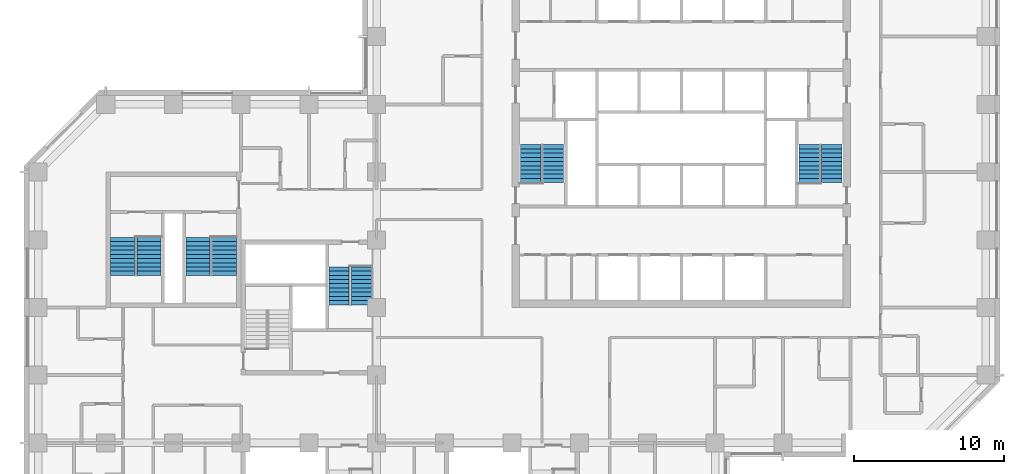
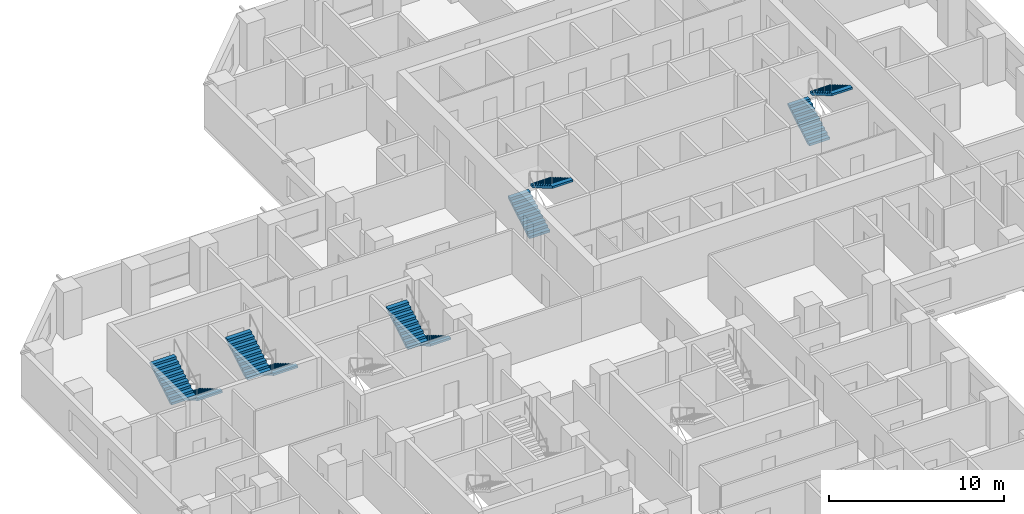
# One storey, part 12 of 13: 10 stair flights, 5 elements without a shape of their own.
"""IFC4 building model written with IfcOpenShell, lengths in metres."""

from ifc_helpers import new_model, si_unit, direction, frame, origin, place, context, subcontext, project, spatial, polyline, outline, extrude, material, type_object, element, aggregate, save


model = new_model("IFC4")

# Units and contexts
model_context = context("Model", 3, precision=1e-05, world=origin(), true_north=direction((0.0, 1.0)))
body_context = subcontext(model_context, "Body", "Model", "MODEL_VIEW")
ifc_project = project(units=[si_unit("LENGTHUNIT", "METRE"), si_unit("AREAUNIT", "SQUARE_METRE"), si_unit("VOLUMEUNIT", "CUBIC_METRE"), si_unit("PLANEANGLEUNIT", "RADIAN"), si_unit("MASSUNIT", "GRAM", prefix="KILO")], contexts=[model_context])

# Site, building, storey
site_placement = place(None, origin())
site = spatial("IfcSite", under=ifc_project, at=site_placement, CompositionType="ELEMENT")
building_placement = place(site_placement, origin())
building = spatial("IfcBuilding", under=site, at=building_placement, Name="Quoin Convention Tower", CompositionType="ELEMENT")
storey_placement = place(building_placement, frame((0.0, 0.0, 36.300048828125)))
storey = spatial("IfcBuildingStorey", under=building, at=storey_placement, Name="L08", CompositionType="ELEMENT", Elevation=36.300048828125)

# Stair, stair flights
ifc_material = material(Name="Concrete C40", Category="concrete")
stair_type_1 = type_object("IfcStairType", Name="Exit stair two-flight 1350", PredefinedType="HALF_TURN_STAIR", material=ifc_material)
stair_1_placement = place(storey_placement, origin())
stair_1 = element("IfcStair", 1, at=stair_1_placement, inside=storey, type_object=stair_type_1, Name="SD1 L08", PredefinedType="HALF_TURN_STAIR")
stair_flight_type_1 = type_object("IfcStairFlightType", Name="Stair flight 1350", PredefinedType="STRAIGHT", material=ifc_material)
stair_flight_1_placement = place(storey_placement, frame((46.25, 57.800048828125, 0.0), z_axis=(0.0, 0.0, 1.0), x_axis=(0.0, 1.0, 0.0)))
stair_flight_1 = element("IfcStairFlight", 2, at=stair_flight_1_placement, type_object=stair_flight_type_1, Name="ST1 flight 1", NumberOfRisers=10, NumberOfTreads=9, PredefinedType="STRAIGHT", RiserHeight=0.165, TreadLength=0.28, context=body_context, shape_type="SweptSolid", body=[
    extrude(outline(polyline([(0.0, 0.0), (0.0, 0.1650390625), (0.280029296875, 0.1650390625), (0.280029296875, 0.330078125), (0.56005859375, 0.330078125), (0.56005859375, 0.4951171875), (0.840087890625, 0.4951171875), (0.840087890625, 0.659912109375), (1.1201171875, 0.659912109375), (1.1201171875, 0.824951171875), (1.39990234375, 0.824951171875), (1.39990234375, 0.989990234375), (1.679931640625, 0.989990234375), (1.679931640625, 1.155029296875), (1.9599609375, 1.155029296875), (1.9599609375, 1.320068359375), (2.239990234375, 1.320068359375), (2.239990234375, 1.485107421875), (2.52001953125, 1.485107421875), (2.52001953125, 1.64990234375), (2.52001953125, 1.345458984375), (0.236572265625, 0.0), (0.0, 0.0)])), frame((0.0, 0.675048828125, 0.0), z_axis=(0.0, -1.0, 0.0), x_axis=(1.0, 0.0, 0.0)), (0.0, 0.0, 1.0), 1.35009765625),
])
stair_flight_2_placement = place(storey_placement, frame((47.75, 60.320068359375, 1.64990234375), z_axis=(0.0, 0.0, 1.0), x_axis=(0.0, -1.0, 0.0)))
stair_flight_2 = element("IfcStairFlight", 3, at=stair_flight_2_placement, type_object=stair_flight_type_1, Name="ST1 flight 2", NumberOfRisers=10, NumberOfTreads=9, PredefinedType="STRAIGHT", RiserHeight=0.165, TreadLength=0.28, context=body_context, shape_type="SweptSolid", body=[
    extrude(outline(polyline([(0.0, 0.0), (0.0, 0.1650390625), (0.280029296875, 0.1650390625), (0.280029296875, 0.330078125), (0.56005859375, 0.330078125), (0.56005859375, 0.4951171875), (0.840087890625, 0.4951171875), (0.840087890625, 0.659912109375), (1.1201171875, 0.659912109375), (1.1201171875, 0.824951171875), (1.39990234375, 0.824951171875), (1.39990234375, 0.989990234375), (1.679931640625, 0.989990234375), (1.679931640625, 1.155029296875), (1.9599609375, 1.155029296875), (1.9599609375, 1.320068359375), (2.239990234375, 1.320068359375), (2.239990234375, 1.485107421875), (2.52001953125, 1.485107421875), (2.52001953125, 1.64990234375), (2.52001953125, 1.345458984375), (0.236572265625, 0.0), (0.0, 0.0)])), frame((0.0, 0.675048828125, 0.0), z_axis=(0.0, -1.0, 0.0), x_axis=(1.0, 0.0, 0.0)), (0.0, 0.0, 1.0), 1.35009765625),
])
aggregate(stair_1, [stair_flight_1, stair_flight_2])

stair_2_placement = place(storey_placement, origin())
stair_2 = element("IfcStair", 4, at=stair_2_placement, inside=storey, type_object=stair_type_1, Name="SD2 L08", PredefinedType="HALF_TURN_STAIR")
stair_flight_3_placement = place(storey_placement, frame((64.75, 57.800048828125, 0.0), z_axis=(0.0, 0.0, 1.0), x_axis=(0.0, 1.0, 0.0)))
stair_flight_3 = element("IfcStairFlight", 5, at=stair_flight_3_placement, type_object=stair_flight_type_1, Name="ST2 flight 1", NumberOfRisers=10, NumberOfTreads=9, PredefinedType="STRAIGHT", RiserHeight=0.165, TreadLength=0.28, context=body_context, shape_type="SweptSolid", body=[
    extrude(outline(polyline([(0.0, 0.0), (0.0, 0.1650390625), (0.280029296875, 0.1650390625), (0.280029296875, 0.330078125), (0.56005859375, 0.330078125), (0.56005859375, 0.4951171875), (0.840087890625, 0.4951171875), (0.840087890625, 0.659912109375), (1.1201171875, 0.659912109375), (1.1201171875, 0.824951171875), (1.39990234375, 0.824951171875), (1.39990234375, 0.989990234375), (1.679931640625, 0.989990234375), (1.679931640625, 1.155029296875), (1.9599609375, 1.155029296875), (1.9599609375, 1.320068359375), (2.239990234375, 1.320068359375), (2.239990234375, 1.485107421875), (2.52001953125, 1.485107421875), (2.52001953125, 1.64990234375), (2.52001953125, 1.345458984375), (0.236572265625, 0.0), (0.0, 0.0)])), frame((0.0, 0.675048828125, 0.0), z_axis=(0.0, -1.0, 0.0), x_axis=(1.0, 0.0, 0.0)), (0.0, 0.0, 1.0), 1.35009765625),
])
stair_flight_4_placement = place(storey_placement, frame((66.25, 60.320068359375, 1.64990234375), z_axis=(0.0, 0.0, 1.0), x_axis=(0.0, -1.0, 0.0)))
stair_flight_4 = element("IfcStairFlight", 6, at=stair_flight_4_placement, type_object=stair_flight_type_1, Name="ST2 flight 2", NumberOfRisers=10, NumberOfTreads=9, PredefinedType="STRAIGHT", RiserHeight=0.165, TreadLength=0.28, context=body_context, shape_type="SweptSolid", body=[
    extrude(outline(polyline([(0.0, 0.0), (0.0, 0.1650390625), (0.280029296875, 0.1650390625), (0.280029296875, 0.330078125), (0.56005859375, 0.330078125), (0.56005859375, 0.4951171875), (0.840087890625, 0.4951171875), (0.840087890625, 0.659912109375), (1.1201171875, 0.659912109375), (1.1201171875, 0.824951171875), (1.39990234375, 0.824951171875), (1.39990234375, 0.989990234375), (1.679931640625, 0.989990234375), (1.679931640625, 1.155029296875), (1.9599609375, 1.155029296875), (1.9599609375, 1.320068359375), (2.239990234375, 1.320068359375), (2.239990234375, 1.485107421875), (2.52001953125, 1.485107421875), (2.52001953125, 1.64990234375), (2.52001953125, 1.345458984375), (0.236572265625, 0.0), (0.0, 0.0)])), frame((0.0, 0.675048828125, 0.0), z_axis=(0.0, -1.0, 0.0), x_axis=(1.0, 0.0, 0.0)), (0.0, 0.0, 1.0), 1.35009765625),
])
aggregate(stair_2, [stair_flight_3, stair_flight_4])

stair_3_placement = place(storey_placement, origin())
stair_3 = element("IfcStair", 7, at=stair_3_placement, inside=storey, type_object=stair_type_1, Name="SD4 L08", PredefinedType="HALF_TURN_STAIR")
stair_flight_5_placement = place(storey_placement, frame((35.0, 52.199951171875, 0.0), z_axis=(0.0, 0.0, 1.0), x_axis=(0.0, -1.0, 0.0)))
stair_flight_5 = element("IfcStairFlight", 8, at=stair_flight_5_placement, type_object=stair_flight_type_1, Name="ST4 flight 1", NumberOfRisers=10, NumberOfTreads=9, PredefinedType="STRAIGHT", RiserHeight=0.165, TreadLength=0.28, context=body_context, shape_type="SweptSolid", body=[
    extrude(outline(polyline([(0.0, 0.0), (0.0, 0.1650390625), (0.280029296875, 0.1650390625), (0.280029296875, 0.330078125), (0.56005859375, 0.330078125), (0.56005859375, 0.4951171875), (0.840087890625, 0.4951171875), (0.840087890625, 0.659912109375), (1.1201171875, 0.659912109375), (1.1201171875, 0.824951171875), (1.39990234375, 0.824951171875), (1.39990234375, 0.989990234375), (1.679931640625, 0.989990234375), (1.679931640625, 1.155029296875), (1.9599609375, 1.155029296875), (1.9599609375, 1.320068359375), (2.239990234375, 1.320068359375), (2.239990234375, 1.485107421875), (2.52001953125, 1.485107421875), (2.52001953125, 1.64990234375), (2.52001953125, 1.345458984375), (0.236572265625, 0.0), (0.0, 0.0)])), frame((0.0, 0.675048828125, 0.0), z_axis=(0.0, -1.0, 0.0), x_axis=(1.0, 0.0, 0.0)), (0.0, 0.0, 1.0), 1.35009765625),
])
stair_flight_6_placement = place(storey_placement, frame((33.5, 49.679931640625, 1.64990234375), z_axis=(0.0, 0.0, 1.0), x_axis=(0.0, 1.0, 0.0)))
stair_flight_6 = element("IfcStairFlight", 9, at=stair_flight_6_placement, type_object=stair_flight_type_1, Name="ST4 flight 2", NumberOfRisers=10, NumberOfTreads=9, PredefinedType="STRAIGHT", RiserHeight=0.165, TreadLength=0.28, context=body_context, shape_type="SweptSolid", body=[
    extrude(outline(polyline([(0.0, 0.0), (0.0, 0.1650390625), (0.280029296875, 0.1650390625), (0.280029296875, 0.330078125), (0.56005859375, 0.330078125), (0.56005859375, 0.4951171875), (0.840087890625, 0.4951171875), (0.840087890625, 0.659912109375), (1.1201171875, 0.659912109375), (1.1201171875, 0.824951171875), (1.39990234375, 0.824951171875), (1.39990234375, 0.989990234375), (1.679931640625, 0.989990234375), (1.679931640625, 1.155029296875), (1.9599609375, 1.155029296875), (1.9599609375, 1.320068359375), (2.239990234375, 1.320068359375), (2.239990234375, 1.485107421875), (2.52001953125, 1.485107421875), (2.52001953125, 1.64990234375), (2.52001953125, 1.345458984375), (0.236572265625, 0.0), (0.0, 0.0)])), frame((0.0, 0.675048828125, 0.0), z_axis=(0.0, -1.0, 0.0), x_axis=(1.0, 0.0, 0.0)), (0.0, 0.0, 1.0), 1.35009765625),
])
aggregate(stair_3, [stair_flight_5, stair_flight_6])

stair_type_2 = type_object("IfcStairType", Name="Exit stair two-flight 1600", PredefinedType="HALF_TURN_STAIR", material=ifc_material)
stair_4_placement = place(storey_placement, origin())
stair_4 = element("IfcStair", 10, at=stair_4_placement, inside=storey, type_object=stair_type_2, Name="SD11 L08", PredefinedType="HALF_TURN_STAIR")
stair_flight_type_2 = type_object("IfcStairFlightType", Name="Stair flight 1600", PredefinedType="STRAIGHT", material=ifc_material)
stair_flight_7_placement = place(storey_placement, frame((20.875, 54.14990234375, 0.0), z_axis=(0.0, 0.0, 1.0), x_axis=(0.0, -1.0, 0.0)))
stair_flight_7 = element("IfcStairFlight", 11, at=stair_flight_7_placement, type_object=stair_flight_type_2, Name="ST11 flight 1", NumberOfRisers=10, NumberOfTreads=9, PredefinedType="STRAIGHT", RiserHeight=0.165, TreadLength=0.28, context=body_context, shape_type="SweptSolid", body=[
    extrude(outline(polyline([(0.0, 0.0), (0.0, 0.1650390625), (0.280029296875, 0.1650390625), (0.280029296875, 0.330078125), (0.56005859375, 0.330078125), (0.56005859375, 0.4951171875), (0.840087890625, 0.4951171875), (0.840087890625, 0.659912109375), (1.1201171875, 0.659912109375), (1.1201171875, 0.824951171875), (1.39990234375, 0.824951171875), (1.39990234375, 0.989990234375), (1.679931640625, 0.989990234375), (1.679931640625, 1.155029296875), (1.9599609375, 1.155029296875), (1.9599609375, 1.320068359375), (2.239990234375, 1.320068359375), (2.239990234375, 1.485107421875), (2.52001953125, 1.485107421875), (2.52001953125, 1.64990234375), (2.52001953125, 1.345458984375), (0.236572265625, 0.0), (0.0, 0.0)])), frame((0.0, 0.800048828125, 0.0), z_axis=(0.0, -1.0, 0.0), x_axis=(1.0, 0.0, 0.0)), (0.0, 0.0, 1.0), 1.60009765625),
])
stair_flight_8_placement = place(storey_placement, frame((19.125, 51.6298828125, 1.64990234375), z_axis=(0.0, 0.0, 1.0), x_axis=(0.0, 1.0, 0.0)))
stair_flight_8 = element("IfcStairFlight", 12, at=stair_flight_8_placement, type_object=stair_flight_type_2, Name="ST11 flight 2", NumberOfRisers=10, NumberOfTreads=9, PredefinedType="STRAIGHT", RiserHeight=0.165, TreadLength=0.28, context=body_context, shape_type="SweptSolid", body=[
    extrude(outline(polyline([(0.0, 0.0), (0.0, 0.1650390625), (0.280029296875, 0.1650390625), (0.280029296875, 0.330078125), (0.56005859375, 0.330078125), (0.56005859375, 0.4951171875), (0.840087890625, 0.4951171875), (0.840087890625, 0.659912109375), (1.1201171875, 0.659912109375), (1.1201171875, 0.824951171875), (1.39990234375, 0.824951171875), (1.39990234375, 0.989990234375), (1.679931640625, 0.989990234375), (1.679931640625, 1.155029296875), (1.9599609375, 1.155029296875), (1.9599609375, 1.320068359375), (2.239990234375, 1.320068359375), (2.239990234375, 1.485107421875), (2.52001953125, 1.485107421875), (2.52001953125, 1.64990234375), (2.52001953125, 1.345458984375), (0.236572265625, 0.0), (0.0, 0.0)])), frame((0.0, 0.800048828125, 0.0), z_axis=(0.0, -1.0, 0.0), x_axis=(1.0, 0.0, 0.0)), (0.0, 0.0, 1.0), 1.60009765625),
])
aggregate(stair_4, [stair_flight_7, stair_flight_8])

stair_5_placement = place(storey_placement, origin())
stair_5 = element("IfcStair", 13, at=stair_5_placement, inside=storey, type_object=stair_type_2, Name="SD12 L08", PredefinedType="HALF_TURN_STAIR")
stair_flight_9_placement = place(storey_placement, frame((25.875, 54.14990234375, 0.0), z_axis=(0.0, 0.0, 1.0), x_axis=(0.0, -1.0, 0.0)))
stair_flight_9 = element("IfcStairFlight", 14, at=stair_flight_9_placement, type_object=stair_flight_type_2, Name="ST12 flight 1", NumberOfRisers=10, NumberOfTreads=9, PredefinedType="STRAIGHT", RiserHeight=0.165, TreadLength=0.28, context=body_context, shape_type="SweptSolid", body=[
    extrude(outline(polyline([(0.0, 0.0), (0.0, 0.1650390625), (0.280029296875, 0.1650390625), (0.280029296875, 0.330078125), (0.56005859375, 0.330078125), (0.56005859375, 0.4951171875), (0.840087890625, 0.4951171875), (0.840087890625, 0.659912109375), (1.1201171875, 0.659912109375), (1.1201171875, 0.824951171875), (1.39990234375, 0.824951171875), (1.39990234375, 0.989990234375), (1.679931640625, 0.989990234375), (1.679931640625, 1.155029296875), (1.9599609375, 1.155029296875), (1.9599609375, 1.320068359375), (2.239990234375, 1.320068359375), (2.239990234375, 1.485107421875), (2.52001953125, 1.485107421875), (2.52001953125, 1.64990234375), (2.52001953125, 1.345458984375), (0.236572265625, 0.0), (0.0, 0.0)])), frame((0.0, 0.800048828125, 0.0), z_axis=(0.0, -1.0, 0.0), x_axis=(1.0, 0.0, 0.0)), (0.0, 0.0, 1.0), 1.60009765625),
])
stair_flight_10_placement = place(storey_placement, frame((24.125, 51.6298828125, 1.64990234375), z_axis=(0.0, 0.0, 1.0), x_axis=(0.0, 1.0, 0.0)))
stair_flight_10 = element("IfcStairFlight", 15, at=stair_flight_10_placement, type_object=stair_flight_type_2, Name="ST12 flight 2", NumberOfRisers=10, NumberOfTreads=9, PredefinedType="STRAIGHT", RiserHeight=0.165, TreadLength=0.28, context=body_context, shape_type="SweptSolid", body=[
    extrude(outline(polyline([(0.0, 0.0), (0.0, 0.1650390625), (0.280029296875, 0.1650390625), (0.280029296875, 0.330078125), (0.56005859375, 0.330078125), (0.56005859375, 0.4951171875), (0.840087890625, 0.4951171875), (0.840087890625, 0.659912109375), (1.1201171875, 0.659912109375), (1.1201171875, 0.824951171875), (1.39990234375, 0.824951171875), (1.39990234375, 0.989990234375), (1.679931640625, 0.989990234375), (1.679931640625, 1.155029296875), (1.9599609375, 1.155029296875), (1.9599609375, 1.320068359375), (2.239990234375, 1.320068359375), (2.239990234375, 1.485107421875), (2.52001953125, 1.485107421875), (2.52001953125, 1.64990234375), (2.52001953125, 1.345458984375), (0.236572265625, 0.0), (0.0, 0.0)])), frame((0.0, 0.800048828125, 0.0), z_axis=(0.0, -1.0, 0.0), x_axis=(1.0, 0.0, 0.0)), (0.0, 0.0, 1.0), 1.60009765625),
])
aggregate(stair_5, [stair_flight_9, stair_flight_10])

save(model, "model.ifc")
